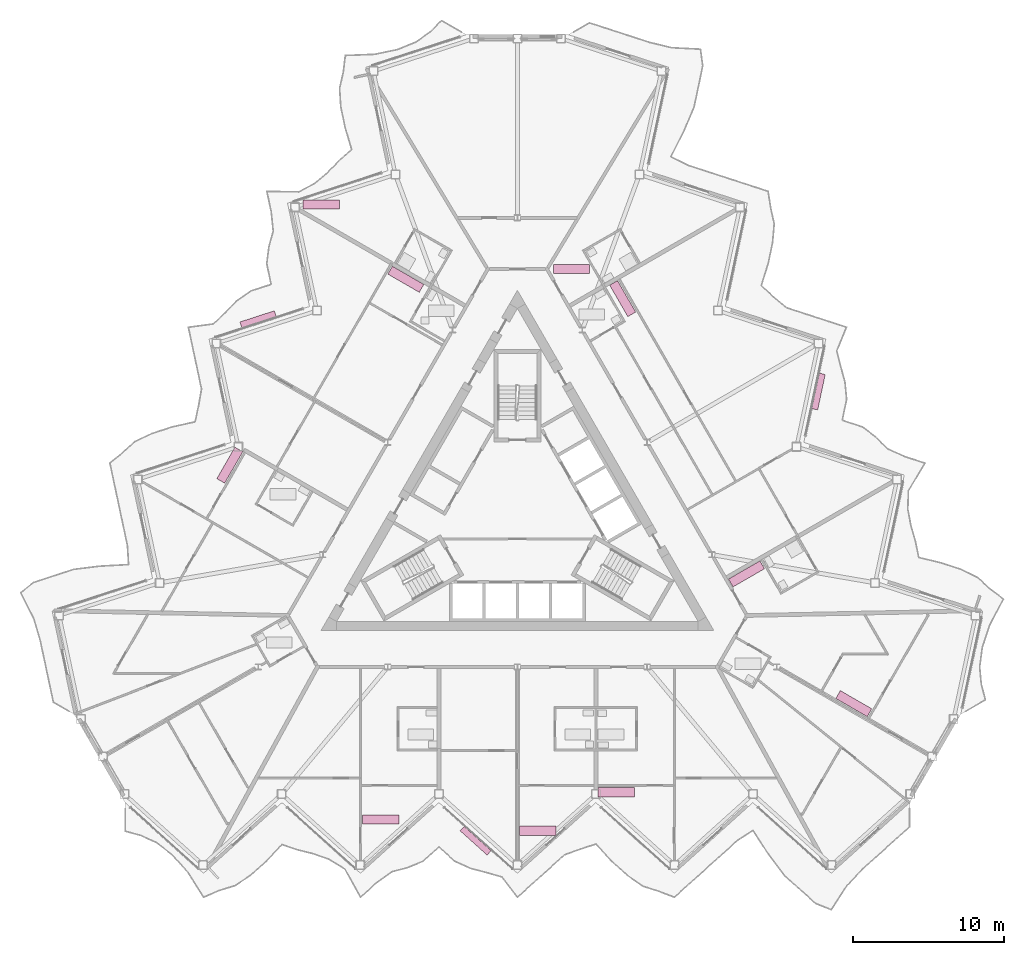
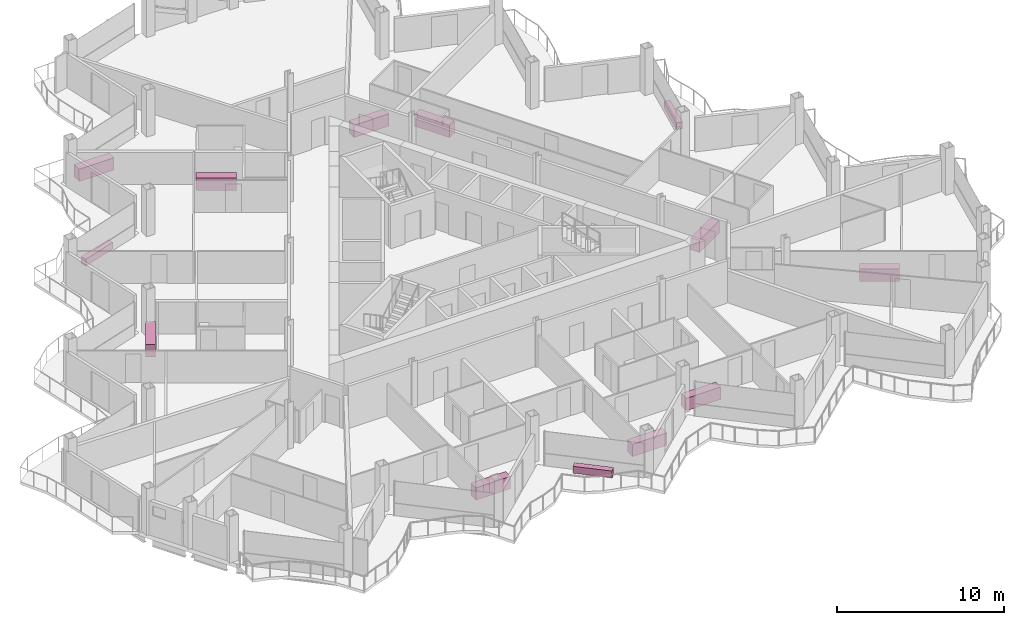
# One storey, part 27 of 27: 13 furniture elements.
"""IFC4 building model written with IfcOpenShell, lengths in metres."""

import ifcopenshell
import ifcopenshell.guid

model = None  # the IFC model being written
_history = None  # IfcOwnerHistory: only IFC2X3 demands one
_inside = {}  # id of a spatial element -> (the spatial element, [elements in it])
_under = {}  # id of a project, library or spatial element -> (it, [spatial elements below it])
_declared = {}  # id of a project -> (the project, [libraries it declares])
_typed = {}  # id of a type object -> (the type object, [elements of that type])
_made_of = {}  # id of a material, layer set ... -> (it, [elements and type objects made of it])


def new_model(schema):
    """Start an empty IFC model of exactly this schema.

    Asked for "IFC4X3", IfcOpenShell would pick the latest addendum, in which some entities
    have other attributes; the version numbers below select the first issue.
    IFC2X3 requires an IfcOwnerHistory on every rooted entity: one is made here for all.
    """
    global model, _history
    if schema == "IFC4X3":
        model = ifcopenshell.file(schema_version=(4, 3, 0, 0))
    else:
        model = ifcopenshell.file(schema=schema)
    _inside.clear()
    _under.clear()
    _declared.clear()
    _typed.clear()
    _made_of.clear()
    _history = None
    if model.schema == "IFC2X3":
        org = make("IfcOrganization", Name="unknown")
        user = make(
            "IfcPersonAndOrganization",
            ThePerson=make("IfcPerson", FamilyName="unknown"),
            TheOrganization=org,
        )
        app = make(
            "IfcApplication",
            ApplicationDeveloper=org,
            Version="unknown",
            ApplicationFullName="unknown",
            ApplicationIdentifier="unknown",
        )
        _history = make(
            "IfcOwnerHistory",
            OwningUser=user,
            OwningApplication=app,
            ChangeAction="ADDED",
            CreationDate=0,
        )
    return model


def make(cls, **values):
    """One entity of the class cls with the attributes given. An attribute that is None is left unset."""
    return model.create_entity(
        cls, **{name: value for name, value in values.items() if value is not None}
    )


def rooted(cls, **values):
    """An entity with a GlobalId (a new one), such as an element, a storey or a relation."""
    return make(cls, GlobalId=ifcopenshell.guid.new(), OwnerHistory=_history, **values)


def si_unit(unit_type, name, prefix=None):
    """IfcSIUnit, for example si_unit("LENGTHUNIT", "METRE", prefix="MILLI")."""
    return make("IfcSIUnit", UnitType=unit_type, Prefix=prefix, Name=name)


def assignment(units):
    """IfcUnitAssignment: the units of a project."""
    return None if units is None else make("IfcUnitAssignment", Units=units)


def point(xyz):
    """IfcCartesianPoint."""
    return None if xyz is None else make("IfcCartesianPoint", Coordinates=xyz)


def direction(xyz):
    """IfcDirection."""
    return None if xyz is None else make("IfcDirection", DirectionRatios=xyz)


def frame(location, z_axis=None, x_axis=None):
    """IfcAxis2Placement3D, a coordinate frame: its origin and axes. An axis left out is left unset."""
    return make(
        "IfcAxis2Placement3D",
        Location=point(location),
        Axis=direction(z_axis),
        RefDirection=direction(x_axis),
    )


def frame_2d(location, x_axis=None):
    """IfcAxis2Placement2D, a coordinate frame in the plane: its origin and x axis."""
    return make(
        "IfcAxis2Placement2D", Location=point(location), RefDirection=direction(x_axis)
    )


def origin():
    """The frame at (0, 0, 0) with its axes left unset."""
    return frame((0.0, 0.0, 0.0))


def origin_2d():
    """The frame at (0, 0) in the plane with its x axis left unset."""
    return frame_2d((0.0, 0.0))


def place(relative_to, where):
    """IfcLocalPlacement: puts the frame where relative to a parent placement (None: the world)."""
    return make(
        "IfcLocalPlacement", PlacementRelTo=relative_to, RelativePlacement=where
    )


def context(
    kind, dimensions, precision=None, world=None, true_north=None, identifier=None
):
    """IfcGeometricRepresentationContext, for example the 3D "Model" context."""
    return make(
        "IfcGeometricRepresentationContext",
        ContextIdentifier=identifier,
        ContextType=kind,
        CoordinateSpaceDimension=dimensions,
        Precision=precision,
        WorldCoordinateSystem=world,
        TrueNorth=true_north,
    )


def subcontext(parent, identifier, kind, view, scale=None):
    """IfcGeometricRepresentationSubContext, for example "Body" below "Model"."""
    return make(
        "IfcGeometricRepresentationSubContext",
        ContextIdentifier=identifier,
        ContextType=kind,
        ParentContext=parent,
        TargetScale=scale,
        TargetView=view,
    )


def project(units=None, contexts=None):
    """IfcProject with its units and contexts."""
    return rooted(
        "IfcProject",
        Name="project",
        RepresentationContexts=contexts,
        UnitsInContext=assignment(units),
    )


def spatial(cls, under=None, at=None, **own):
    """A site, building, storey or space (cls), placed at a placement, below another one or the project."""
    s = rooted(cls, ObjectPlacement=at, **own)
    if under is not None:
        _under.setdefault(under.id(), (under, []))[1].append(s)
    return s


def profile(cls, at=None, kind="AREA", **sizes):
    """A parametric profile (cls). Its sizes go by their IFC names, for example OverallWidth=200.0."""
    return make(cls, ProfileType=kind, Position=at, **sizes)


def rectangle(**sizes):
    """IfcRectangleProfileDef."""
    return profile("IfcRectangleProfileDef", **sizes)


def extrude(swept, where, along, depth):
    """IfcExtrudedAreaSolid: the profile swept, set in the frame where, extruded along a direction by depth."""
    return make(
        "IfcExtrudedAreaSolid",
        SweptArea=swept,
        Position=where,
        ExtrudedDirection=direction(along),
        Depth=depth,
    )


def shape(context_of_items, identifier, shape_type, items):
    """IfcShapeRepresentation: the items that make up one representation, for example the "Body"."""
    return make(
        "IfcShapeRepresentation",
        ContextOfItems=context_of_items,
        RepresentationIdentifier=identifier,
        RepresentationType=shape_type,
        Items=items,
    )


def material(Name=None, Category=None):
    """IfcMaterial."""
    return make("IfcMaterial", Name=Name, Category=Category)


def made_of(thing, what):
    """Note that an element or type object is made of a material, layer set ...; save() writes the relation."""
    if what is not None:
        _made_of.setdefault(what.id(), (what, []))[1].append(thing)
    return thing


def type_object(cls, material=None, **own):
    """A type object (cls), such as IfcWallType, which elements share."""
    return made_of(rooted(cls, **own), material)


def element(
    cls,
    number,
    at=None,
    inside=None,
    cuts=None,
    type_object=None,
    material=None,
    context=None,
    identifier="Body",
    shape_type=None,
    held_by="IfcProductDefinitionShape",
    body=None,
    shapes=None,
    **own,
):
    """One element of the class cls, such as IfcWall. Its Tag is "e" and its number.

    at: its placement. inside: the storey or other place that contains it. cuts: it is an
    opening in that element (IfcRelVoidsElement). A single representation is given by context,
    identifier, shape_type and body (its items); several are given by shapes. held_by: the class
    of the entity that holds the representations. save() writes the other relations.
    """
    e = rooted(cls, Tag="e%d" % number, ObjectPlacement=at, **own)
    if body is not None:
        shapes = [shape(context, identifier, shape_type, body)]
    if shapes is not None:
        e.Representation = make(held_by, Representations=shapes)
    if inside is not None:
        _inside.setdefault(inside.id(), (inside, []))[1].append(e)
    if cuts is not None:
        rooted(
            "IfcRelVoidsElement", RelatingBuildingElement=cuts, RelatedOpeningElement=e
        )
    if type_object is not None:
        _typed.setdefault(type_object.id(), (type_object, []))[1].append(e)
    return made_of(e, material)


def aggregate(whole, parts):
    """IfcRelAggregates: a whole, such as a stair, and the parts it consists of."""
    return rooted("IfcRelAggregates", RelatingObject=whole, RelatedObjects=parts)


def save(model, path):
    """Write the relations noted so far, then the file.

    IfcRelAggregates (storeys below a building ...), IfcRelContainedInSpatialStructure (elements
    in a storey), IfcRelDefinesByType, IfcRelAssociatesMaterial and IfcRelDeclares: one each for
    every whole, place, type object, material and project.
    """
    for whole, parts in _under.values():
        aggregate(whole, parts)
    for where, things in _inside.values():
        rooted(
            "IfcRelContainedInSpatialStructure",
            RelatedElements=things,
            RelatingStructure=where,
        )
    for kind, things in _typed.values():
        rooted("IfcRelDefinesByType", RelatedObjects=things, RelatingType=kind)
    for what, things in _made_of.values():
        rooted("IfcRelAssociatesMaterial", RelatedObjects=things, RelatingMaterial=what)
    for by, libraries in _declared.values():
        rooted("IfcRelDeclares", RelatingContext=by, RelatedDefinitions=libraries)
    model.write(path)


model = new_model("IFC4")

# Units and contexts
model_context = context("Model", 3, precision=1e-05, world=origin(), true_north=direction((0.0, 1.0)))
body_context = subcontext(model_context, "Body", "Model", "MODEL_VIEW")
ifc_project = project(units=[si_unit("LENGTHUNIT", "METRE"), si_unit("AREAUNIT", "SQUARE_METRE"), si_unit("VOLUMEUNIT", "CUBIC_METRE"), si_unit("PLANEANGLEUNIT", "RADIAN"), si_unit("MASSUNIT", "GRAM", prefix="KILO")], contexts=[model_context])

# Site, building, storey
site_placement = place(None, origin())
site = spatial("IfcSite", under=ifc_project, at=site_placement, CompositionType="ELEMENT")
building_placement = place(site_placement, origin())
building = spatial("IfcBuilding", under=site, at=building_placement, Name="Cormorant Prow Tower", CompositionType="ELEMENT")
storey_placement = place(building_placement, frame((0.0, 0.0, 318.800048828125)))
storey = spatial("IfcBuildingStorey", under=building, at=storey_placement, Name="L70", CompositionType="ELEMENT", Elevation=318.800048828125)

# Furniture
ifc_material_1 = material(Name="Terracotta", Category="masonry")
furniture_type_1 = type_object("IfcFurnitureType", Name="Balcony planter 2400x400x500", AssemblyPlace="NOTDEFINED", PredefinedType="USERDEFINED", material=ifc_material_1)
for number, where, z_axis, x_axis, name in (
    (1, (-2.763671875, -21.41015625, 0.0), (0.0, 0.0, 1.0), (0.743144813413, -0.669130619757, 0.0), "Balcony planter S04"),
    (2, (19.923583984375, 8.3115234375, 0.0), (0.0, 0.0, 1.0), (0.207911759908, 0.978147586048, 0.0), "Balcony planter ENE04"),
    (3, (-17.159912109375, 13.098388671875, 0.0), (0.0, 0.0, 1.0), (-0.95105649024, -0.309017074565, 0.0), "Balcony planter WNW04"),
):
    element("IfcFurniture", number, at=place(storey_placement, frame(where, z_axis=z_axis, x_axis=x_axis)), inside=storey, type_object=furniture_type_1, Name=name, ObjectType="PLANTER", PredefinedType="USERDEFINED", context=body_context, shape_type="SweptSolid", body=[
        extrude(rectangle(XDim=2.39990234375, YDim=0.39990234375, at=origin_2d()), origin(), (0.0, 0.0, 1.0), 0.5),
    ])
ifc_material_2 = material(Name="Timber joinery", Category="wood")
furniture_type_2 = type_object("IfcFurnitureType", Name="Kitchen counter 2400x600", AssemblyPlace="NOTDEFINED", PredefinedType="NOTDEFINED", material=ifc_material_2)
for number, where, z_axis, x_axis, name in (
    (4, (-9.04052734375, -19.998779296875, 0.0), (0.0, 0.0, 1.0), (1.0, 0.0, 0.0), "Kitchen counter"),
    (5, (1.344970703125, -20.748779296875, 0.0), (0.0, 0.0, 1.0), (1.0, 0.0, 0.0), "Kitchen counter"),
    (6, (6.537841796875, -18.202880859375, 0.0), (0.0, 0.0, 1.0), (1.0, 0.0, 0.0), "Kitchen counter"),
    (7, (22.255615234375, -12.33544921875, 0.0), (0.0, 0.0, 1.0), (-0.866025403784, 0.5, 0.0), "Kitchen counter"),
    (8, (15.15869140625, -3.75439453125, 0.0), (0.0, 0.0, 1.0), (0.866025403784, 0.5, 0.0), "Kitchen counter"),
    (9, (6.96435546875, 14.460205078125, 0.0), (0.0, 0.0, 1.0), (0.5, -0.866025403784, 0.0), "Kitchen counter"),
    (10, (3.573486328125, 16.4267578125, 0.0), (0.0, 0.0, 1.0), (1.0, 0.0, 0.0), "Kitchen counter"),
    (11, (-12.980224609375, 20.6767578125, 0.0), (0.0, 0.0, 1.0), (1.0, 0.0, 0.0), "Kitchen counter"),
    (12, (-7.384033203125, 15.74169921875, 0.0), (0.0, 0.0, 1.0), (0.866025403784, -0.5, 0.0), "Kitchen counter"),
    (13, (-19.033203125, 3.439697265625, 0.0), (0.0, 0.0, 1.0), (-0.5, -0.866025403784, 0.0), "Kitchen counter"),
):
    element("IfcFurniture", number, at=place(storey_placement, frame(where, z_axis=z_axis, x_axis=x_axis)), inside=storey, type_object=furniture_type_2, Name=name, PredefinedType="NOTDEFINED", context=body_context, shape_type="SweptSolid", body=[
        extrude(rectangle(XDim=2.39990234375, YDim=0.60009765625, at=origin_2d()), origin(), (0.0, 0.0, 1.0), 0.89990234375),
    ])

save(model, "model.ifc")
